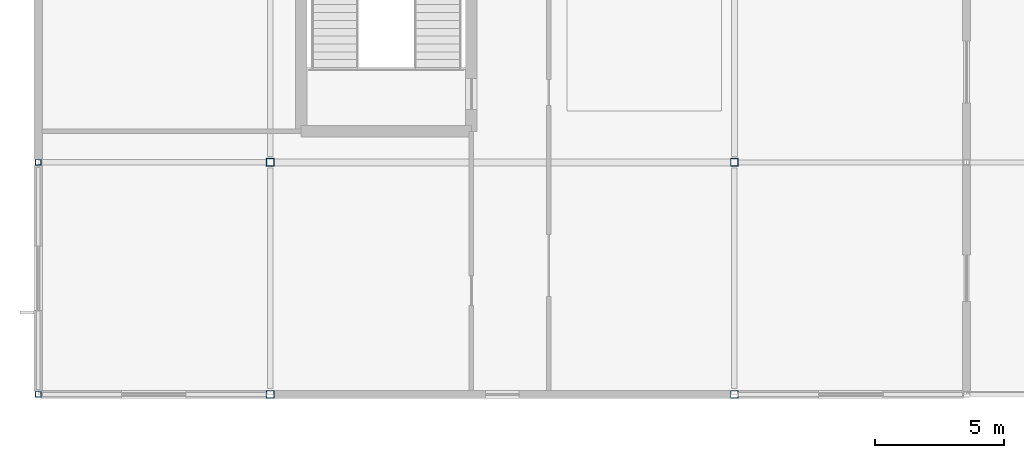
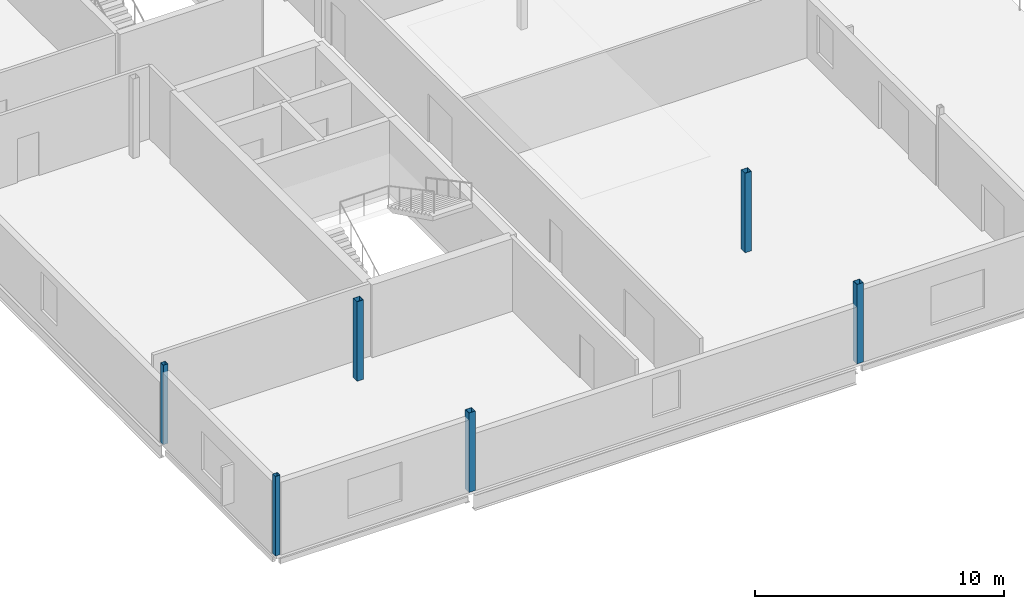
# One storey, part 1 of 55: 6 columns.
"""IFC4 building model written with IfcOpenShell, lengths in metres."""

from ifc_helpers import new_model, si_unit, direction, frame, origin, origin_2d, place, context, subcontext, project, spatial, hollow_rectangle, extrude, material, material_profile, profile_set, type_object, element, save


model = new_model("IFC4")

# Units and contexts
model_context = context("Model", 3, precision=1e-05, world=origin(), true_north=direction((0.0, 1.0)))
body_context = subcontext(model_context, "Body", "Model", "MODEL_VIEW")
ifc_project = project(units=[si_unit("LENGTHUNIT", "METRE"), si_unit("AREAUNIT", "SQUARE_METRE"), si_unit("VOLUMEUNIT", "CUBIC_METRE"), si_unit("PLANEANGLEUNIT", "RADIAN"), si_unit("MASSUNIT", "GRAM", prefix="KILO")], contexts=[model_context])

# Site, building, storey
site_placement = place(None, origin())
site = spatial("IfcSite", under=ifc_project, at=site_placement, CompositionType="ELEMENT")
building_placement = place(site_placement, origin())
building = spatial("IfcBuilding", under=site, at=building_placement, Name="Kisiwana Market Hall", CompositionType="ELEMENT")
storey_placement = place(building_placement, frame((0.0, 0.0, 37.800048828125)))
storey = spatial("IfcBuildingStorey", under=building, at=storey_placement, Name="L08", CompositionType="ELEMENT", Elevation=37.800048828125)

# Columns
ifc_material_1 = material(Name="Steel S355", Category="steel")
ifc_material_profile_1 = material_profile(ifc_material_1, hollow_rectangle(XDim=0.219970703125, YDim=0.219970703125, WallThickness=0.010009765625, at=origin_2d()), Name="SHS 220x220x10")
ifc_profile_set_1 = profile_set([ifc_material_profile_1], Name="Steel S355")
column_type_1 = type_object("IfcColumnType", Name="COL-STL-SHS220", PredefinedType="COLUMN", material=ifc_profile_set_1)
for number, where, z_axis, x_axis, name in (
    (1, (0.0, 9.0, 0.0), (0.0, 0.0, 1.0), (1.0, 0.0, 0.0), "Column B/1 (L08) C-1154"),
    (2, (0.0, 18.0, 0.0), (0.0, 0.0, 1.0), (1.0, 0.0, 0.0), "Column C/1 (L08) C-1155"),
):
    element("IfcColumn", number, at=place(storey_placement, frame(where, z_axis=z_axis, x_axis=x_axis)), inside=storey, type_object=column_type_1, Name=name, PredefinedType="COLUMN", context=body_context, shape_type="SweptSolid", body=[
        extrude(hollow_rectangle(XDim=0.219970703125, YDim=0.219970703125, WallThickness=0.010009765625, at=origin_2d()), origin(), (0.0, 0.0, 1.0), 3.89990234375),
    ])
ifc_material_2 = material(Name="Steel S355", Category="steel")
ifc_material_profile_2 = material_profile(ifc_material_2, hollow_rectangle(XDim=0.300048828125, YDim=0.300048828125, WallThickness=0.012451171875, at=origin_2d()), Name="SHS 300x300x12.5")
ifc_profile_set_2 = profile_set([ifc_material_profile_2], Name="Steel S355")
column_type_2 = type_object("IfcColumnType", Name="COL-STL-SHS300", PredefinedType="COLUMN", material=ifc_profile_set_2)
for number, where, z_axis, x_axis, name in (
    (3, (9.0, 9.0, 0.0), (0.0, 0.0, 1.0), (1.0, 0.0, 0.0), "Column B/2 (L08) C-1161"),
    (4, (9.0, 18.0, 0.0), (0.0, 0.0, 1.0), (1.0, 0.0, 0.0), "Column C/2 (L08) C-1162"),
    (5, (27.0, 9.0, 0.0), (0.0, 0.0, 1.0), (1.0, 0.0, 0.0), "Column B/4 (L08) C-1167"),
    (6, (27.0, 18.0, 0.0), (0.0, 0.0, 1.0), (1.0, 0.0, 0.0), "Column C/4 (L08) C-1168"),
):
    element("IfcColumn", number, at=place(storey_placement, frame(where, z_axis=z_axis, x_axis=x_axis)), inside=storey, type_object=column_type_2, Name=name, PredefinedType="COLUMN", context=body_context, shape_type="SweptSolid", body=[
        extrude(hollow_rectangle(XDim=0.300048828125, YDim=0.300048828125, WallThickness=0.012451171875, at=origin_2d()), origin(), (0.0, 0.0, 1.0), 3.89990234375),
    ])

save(model, "model.ifc")
